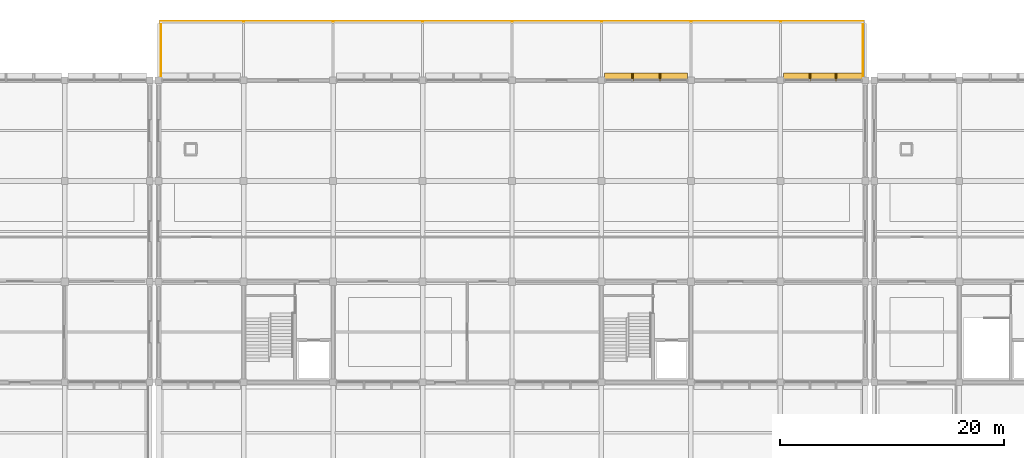
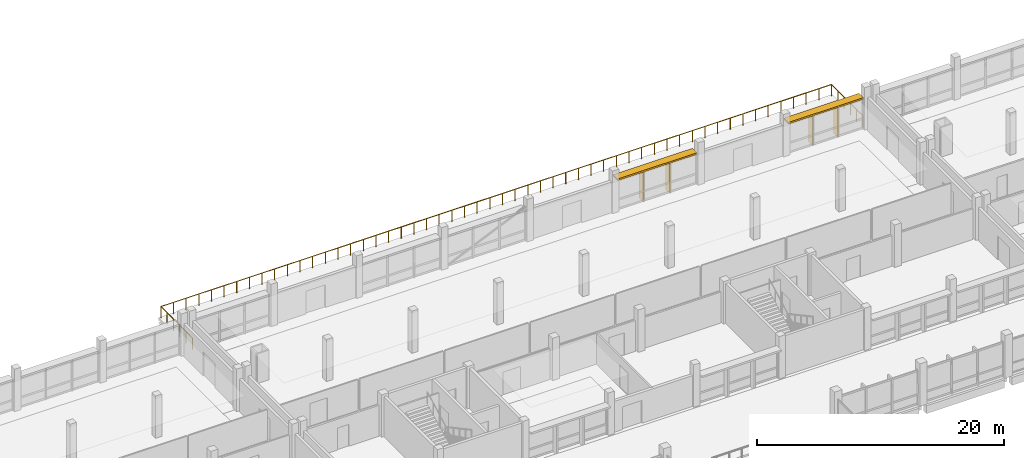
# One storey, part 69 of 70: 6 shading devices, 1 railing.
"""IFC4 building model written with IfcOpenShell, lengths in metres."""

from ifc_helpers import new_model, si_unit, direction, frame, origin, origin_2d, place, context, subcontext, project, spatial, rectangle, circle, extrude, material, type_object, element, save


model = new_model("IFC4")

# Units and contexts
model_context = context("Model", 3, precision=1e-05, world=origin(), true_north=direction((0.0, 1.0)))
body_context = subcontext(model_context, "Body", "Model", "MODEL_VIEW")
ifc_project = project(units=[si_unit("LENGTHUNIT", "METRE"), si_unit("AREAUNIT", "SQUARE_METRE"), si_unit("VOLUMEUNIT", "CUBIC_METRE"), si_unit("PLANEANGLEUNIT", "RADIAN"), si_unit("MASSUNIT", "GRAM", prefix="KILO"), si_unit("THERMODYNAMICTEMPERATUREUNIT", "KELVIN"), si_unit("POWERUNIT", "WATT")], contexts=[model_context])

# Site, building, storey
site_placement = place(None, origin())
site = spatial("IfcSite", under=ifc_project, at=site_placement, CompositionType="ELEMENT")
building_placement = place(site_placement, origin())
building = spatial("IfcBuilding", under=site, at=building_placement, Name="Kronsvod Quay Wholesale Market", CompositionType="ELEMENT")
storey_placement = place(building_placement, frame((0.0, 0.0, 9.0)))
storey = spatial("IfcBuildingStorey", under=building, at=storey_placement, Name="L02", CompositionType="ELEMENT", Elevation=9.0)

# Railing
ifc_material_1 = material(Name="Stainless steel and laminated glass", Category="steel")
railing_type = type_object("IfcRailingType", Name="Railing_Balustrade1150", PredefinedType="BALUSTRADE", material=ifc_material_1)
railing_placement = place(storey_placement, frame((64.60009765625, 126.14990234375, 0.0)))
element("IfcRailing", 1, at=railing_placement, inside=storey, type_object=railing_type, Name="GRD-L02-BAL", PredefinedType="BALUSTRADE", context=body_context, shape_type="SweptSolid", body=[
    extrude(circle(Radius=0.02392578125, at=origin_2d()), frame((0.0, 0.0, 1.1259765625), z_axis=(0.0, 1.0, 0.0), x_axis=(-1.0, 0.0, 0.0)), (0.0, 0.0, 1.0), 5.10009765625),
    extrude(circle(Radius=0.02392578125, at=origin_2d()), frame((0.0, 5.10009765625, 1.1259765625), z_axis=(1.0, 0.0, 0.0), x_axis=(0.0, 1.0, 0.0)), (0.0, 0.0, 1.0), 62.7998046875),
    extrude(circle(Radius=0.02392578125, at=origin_2d()), frame((62.7998046875, 5.10009765625, 1.1259765625), z_axis=(0.0, -1.0, 0.0), x_axis=(1.0, 0.0, 0.0)), (0.0, 0.0, 1.0), 5.10009765625),
    extrude(circle(Radius=0.02099609375, at=origin_2d()), origin(), (0.0, 0.0, 1.0), 1.101806640625),
    extrude(circle(Radius=0.02099609375, at=origin_2d()), frame((0.0, 1.02001953125, 0.0)), (0.0, 0.0, 1.0), 1.101806640625),
    extrude(circle(Radius=0.02099609375, at=origin_2d()), frame((0.0, 2.0400390625, 0.0)), (0.0, 0.0, 1.0), 1.101806640625),
    extrude(circle(Radius=0.02099609375, at=origin_2d()), frame((0.0, 3.06005859375, 0.0)), (0.0, 0.0, 1.0), 1.101806640625),
    extrude(circle(Radius=0.02099609375, at=origin_2d()), frame((0.0, 4.080078125, 0.0)), (0.0, 0.0, 1.0), 1.101806640625),
    extrude(circle(Radius=0.02099609375, at=origin_2d()), frame((0.0, 5.10009765625, 0.0)), (0.0, 0.0, 1.0), 1.101806640625),
    extrude(circle(Radius=0.02099609375, at=origin_2d()), frame((1.184814453125, 5.10009765625, 0.0)), (0.0, 0.0, 1.0), 1.101806640625),
    extrude(circle(Radius=0.02099609375, at=origin_2d()), frame((2.369873046875, 5.10009765625, 0.0)), (0.0, 0.0, 1.0), 1.101806640625),
    extrude(circle(Radius=0.02099609375, at=origin_2d()), frame((3.5546875, 5.10009765625, 0.0)), (0.0, 0.0, 1.0), 1.101806640625),
    extrude(circle(Radius=0.02099609375, at=origin_2d()), frame((4.739501953125, 5.10009765625, 0.0)), (0.0, 0.0, 1.0), 1.101806640625),
    extrude(circle(Radius=0.02099609375, at=origin_2d()), frame((5.924560546875, 5.10009765625, 0.0)), (0.0, 0.0, 1.0), 1.101806640625),
    extrude(circle(Radius=0.02099609375, at=origin_2d()), frame((7.109375, 5.10009765625, 0.0)), (0.0, 0.0, 1.0), 1.101806640625),
    extrude(circle(Radius=0.02099609375, at=origin_2d()), frame((8.29443359375, 5.10009765625, 0.0)), (0.0, 0.0, 1.0), 1.101806640625),
    extrude(circle(Radius=0.02099609375, at=origin_2d()), frame((9.479248046875, 5.10009765625, 0.0)), (0.0, 0.0, 1.0), 1.101806640625),
    extrude(circle(Radius=0.02099609375, at=origin_2d()), frame((10.6640625, 5.10009765625, 0.0)), (0.0, 0.0, 1.0), 1.101806640625),
    extrude(circle(Radius=0.02099609375, at=origin_2d()), frame((11.84912109375, 5.10009765625, 0.0)), (0.0, 0.0, 1.0), 1.101806640625),
    extrude(circle(Radius=0.02099609375, at=origin_2d()), frame((13.033935546875, 5.10009765625, 0.0)), (0.0, 0.0, 1.0), 1.101806640625),
    extrude(circle(Radius=0.02099609375, at=origin_2d()), frame((14.21875, 5.10009765625, 0.0)), (0.0, 0.0, 1.0), 1.101806640625),
    extrude(circle(Radius=0.02099609375, at=origin_2d()), frame((15.40380859375, 5.10009765625, 0.0)), (0.0, 0.0, 1.0), 1.101806640625),
    extrude(circle(Radius=0.02099609375, at=origin_2d()), frame((16.588623046875, 5.10009765625, 0.0)), (0.0, 0.0, 1.0), 1.101806640625),
    extrude(circle(Radius=0.02099609375, at=origin_2d()), frame((17.7734375, 5.10009765625, 0.0)), (0.0, 0.0, 1.0), 1.101806640625),
    extrude(circle(Radius=0.02099609375, at=origin_2d()), frame((18.95849609375, 5.10009765625, 0.0)), (0.0, 0.0, 1.0), 1.101806640625),
    extrude(circle(Radius=0.02099609375, at=origin_2d()), frame((20.143310546875, 5.10009765625, 0.0)), (0.0, 0.0, 1.0), 1.101806640625),
    extrude(circle(Radius=0.02099609375, at=origin_2d()), frame((21.328125, 5.10009765625, 0.0)), (0.0, 0.0, 1.0), 1.101806640625),
    extrude(circle(Radius=0.02099609375, at=origin_2d()), frame((22.51318359375, 5.10009765625, 0.0)), (0.0, 0.0, 1.0), 1.101806640625),
    extrude(circle(Radius=0.02099609375, at=origin_2d()), frame((23.697998046875, 5.10009765625, 0.0)), (0.0, 0.0, 1.0), 1.101806640625),
    extrude(circle(Radius=0.02099609375, at=origin_2d()), frame((24.883056640625, 5.10009765625, 0.0)), (0.0, 0.0, 1.0), 1.101806640625),
    extrude(circle(Radius=0.02099609375, at=origin_2d()), frame((26.06787109375, 5.10009765625, 0.0)), (0.0, 0.0, 1.0), 1.101806640625),
    extrude(circle(Radius=0.02099609375, at=origin_2d()), frame((27.252685546875, 5.10009765625, 0.0)), (0.0, 0.0, 1.0), 1.101806640625),
    extrude(circle(Radius=0.02099609375, at=origin_2d()), frame((28.437744140625, 5.10009765625, 0.0)), (0.0, 0.0, 1.0), 1.101806640625),
    extrude(circle(Radius=0.02099609375, at=origin_2d()), frame((29.62255859375, 5.10009765625, 0.0)), (0.0, 0.0, 1.0), 1.101806640625),
    extrude(circle(Radius=0.02099609375, at=origin_2d()), frame((30.807373046875, 5.10009765625, 0.0)), (0.0, 0.0, 1.0), 1.101806640625),
    extrude(circle(Radius=0.02099609375, at=origin_2d()), frame((31.992431640625, 5.10009765625, 0.0)), (0.0, 0.0, 1.0), 1.101806640625),
    extrude(circle(Radius=0.02099609375, at=origin_2d()), frame((33.17724609375, 5.10009765625, 0.0)), (0.0, 0.0, 1.0), 1.101806640625),
    extrude(circle(Radius=0.02099609375, at=origin_2d()), frame((34.362060546875, 5.10009765625, 0.0)), (0.0, 0.0, 1.0), 1.101806640625),
    extrude(circle(Radius=0.02099609375, at=origin_2d()), frame((35.547119140625, 5.10009765625, 0.0)), (0.0, 0.0, 1.0), 1.101806640625),
    extrude(circle(Radius=0.02099609375, at=origin_2d()), frame((36.73193359375, 5.10009765625, 0.0)), (0.0, 0.0, 1.0), 1.101806640625),
    extrude(circle(Radius=0.02099609375, at=origin_2d()), frame((37.916748046875, 5.10009765625, 0.0)), (0.0, 0.0, 1.0), 1.101806640625),
    extrude(circle(Radius=0.02099609375, at=origin_2d()), frame((39.101806640625, 5.10009765625, 0.0)), (0.0, 0.0, 1.0), 1.101806640625),
    extrude(circle(Radius=0.02099609375, at=origin_2d()), frame((40.28662109375, 5.10009765625, 0.0)), (0.0, 0.0, 1.0), 1.101806640625),
    extrude(circle(Radius=0.02099609375, at=origin_2d()), frame((41.4716796875, 5.10009765625, 0.0)), (0.0, 0.0, 1.0), 1.101806640625),
    extrude(circle(Radius=0.02099609375, at=origin_2d()), frame((42.656494140625, 5.10009765625, 0.0)), (0.0, 0.0, 1.0), 1.101806640625),
    extrude(circle(Radius=0.02099609375, at=origin_2d()), frame((43.84130859375, 5.10009765625, 0.0)), (0.0, 0.0, 1.0), 1.101806640625),
    extrude(circle(Radius=0.02099609375, at=origin_2d()), frame((45.0263671875, 5.10009765625, 0.0)), (0.0, 0.0, 1.0), 1.101806640625),
    extrude(circle(Radius=0.02099609375, at=origin_2d()), frame((46.211181640625, 5.10009765625, 0.0)), (0.0, 0.0, 1.0), 1.101806640625),
    extrude(circle(Radius=0.02099609375, at=origin_2d()), frame((47.39599609375, 5.10009765625, 0.0)), (0.0, 0.0, 1.0), 1.101806640625),
    extrude(circle(Radius=0.02099609375, at=origin_2d()), frame((48.5810546875, 5.10009765625, 0.0)), (0.0, 0.0, 1.0), 1.101806640625),
    extrude(circle(Radius=0.02099609375, at=origin_2d()), frame((49.765869140625, 5.10009765625, 0.0)), (0.0, 0.0, 1.0), 1.101806640625),
    extrude(circle(Radius=0.02099609375, at=origin_2d()), frame((50.95068359375, 5.10009765625, 0.0)), (0.0, 0.0, 1.0), 1.101806640625),
    extrude(circle(Radius=0.02099609375, at=origin_2d()), frame((52.1357421875, 5.10009765625, 0.0)), (0.0, 0.0, 1.0), 1.101806640625),
    extrude(circle(Radius=0.02099609375, at=origin_2d()), frame((53.320556640625, 5.10009765625, 0.0)), (0.0, 0.0, 1.0), 1.101806640625),
    extrude(circle(Radius=0.02099609375, at=origin_2d()), frame((54.50537109375, 5.10009765625, 0.0)), (0.0, 0.0, 1.0), 1.101806640625),
    extrude(circle(Radius=0.02099609375, at=origin_2d()), frame((55.6904296875, 5.10009765625, 0.0)), (0.0, 0.0, 1.0), 1.101806640625),
    extrude(circle(Radius=0.02099609375, at=origin_2d()), frame((56.875244140625, 5.10009765625, 0.0)), (0.0, 0.0, 1.0), 1.101806640625),
    extrude(circle(Radius=0.02099609375, at=origin_2d()), frame((58.060302734375, 5.10009765625, 0.0)), (0.0, 0.0, 1.0), 1.101806640625),
    extrude(circle(Radius=0.02099609375, at=origin_2d()), frame((59.2451171875, 5.10009765625, 0.0)), (0.0, 0.0, 1.0), 1.101806640625),
    extrude(circle(Radius=0.02099609375, at=origin_2d()), frame((60.429931640625, 5.10009765625, 0.0)), (0.0, 0.0, 1.0), 1.101806640625),
    extrude(circle(Radius=0.02099609375, at=origin_2d()), frame((61.614990234375, 5.10009765625, 0.0)), (0.0, 0.0, 1.0), 1.101806640625),
    extrude(circle(Radius=0.02099609375, at=origin_2d()), frame((62.7998046875, 5.10009765625, 0.0)), (0.0, 0.0, 1.0), 1.101806640625),
    extrude(circle(Radius=0.02099609375, at=origin_2d()), frame((62.7998046875, 4.080078125, 0.0)), (0.0, 0.0, 1.0), 1.101806640625),
    extrude(circle(Radius=0.02099609375, at=origin_2d()), frame((62.7998046875, 3.06005859375, 0.0)), (0.0, 0.0, 1.0), 1.101806640625),
    extrude(circle(Radius=0.02099609375, at=origin_2d()), frame((62.7998046875, 2.0400390625, 0.0)), (0.0, 0.0, 1.0), 1.101806640625),
    extrude(circle(Radius=0.02099609375, at=origin_2d()), frame((62.7998046875, 1.02001953125, 0.0)), (0.0, 0.0, 1.0), 1.101806640625),
    extrude(circle(Radius=0.02099609375, at=origin_2d()), frame((62.7998046875, 0.0, 0.0)), (0.0, 0.0, 1.0), 1.101806640625),
])

# Shading devices
ifc_material_2 = material(Name="Anodised aluminium", Category="aluminium")
shading_device_type_1 = type_object("IfcShadingDeviceType", Name="Shade_SolarFin", PredefinedType="AWNING", material=ifc_material_2)
for number, where, z_axis, x_axis, name in (
    (2, (106.764892578125, 126.280029296875, -0.02001953125), (0.0, 0.0, 1.0), (1.0, 0.0, 0.0), "SHDF-CWGX-L02-1040-1260-1068"),
    (3, (109.235107421875, 126.280029296875, -0.02001953125), (0.0, 0.0, 1.0), (1.0, 0.0, 0.0), "SHDF-CWGX-L02-1040-1260-1092"),
    (4, (122.631591796875, 126.280029296875, -0.02001953125), (0.0, 0.0, 1.0), (1.0, 0.0, 0.0), "SHDF-CWGX-L02-1200-1260-1226"),
    (5, (124.96826171875, 126.280029296875, -0.02001953125), (0.0, 0.0, 1.0), (1.0, 0.0, 0.0), "SHDF-CWGX-L02-1200-1260-1250"),
):
    element("IfcShadingDevice", number, at=place(storey_placement, frame(where, z_axis=z_axis, x_axis=x_axis)), inside=storey, type_object=shading_device_type_1, Name=name, PredefinedType="AWNING", context=body_context, shape_type="SweptSolid", body=[
        extrude(rectangle(XDim=0.139892578125, YDim=0.6201171875, at=origin_2d()), origin(), (0.0, 0.0, 1.0), 3.090087890625),
    ])
ifc_material_3 = material(Name="Anodised aluminium sunshade hood", Category="aluminium")
shading_device_type_2 = type_object("IfcShadingDeviceType", Name="Shade_SunHood", PredefinedType="AWNING", material=ifc_material_3)
shading_device_1_placement = place(storey_placement, frame((108.0, 126.280029296875, 2.93017578125), z_axis=(0.0, 0.0, 1.0), x_axis=(1.0, 0.0, 0.0)))
element("IfcShadingDevice", 6, at=shading_device_1_placement, inside=storey, type_object=shading_device_type_2, Name="SHDH-CWGX-L02-1040-1260", PredefinedType="AWNING", context=body_context, shape_type="SweptSolid", body=[
    extrude(rectangle(XDim=7.429931640625, YDim=0.719970703125, at=origin_2d()), origin(), (0.0, 0.0, 1.0), 0.159912109375),
])
shading_device_2_placement = place(storey_placement, frame((123.800048828125, 126.280029296875, 2.93017578125), z_axis=(0.0, 0.0, 1.0), x_axis=(1.0, 0.0, 0.0)))
element("IfcShadingDevice", 7, at=shading_device_2_placement, inside=storey, type_object=shading_device_type_2, Name="SHDH-CWGX-L02-1200-1260", PredefinedType="AWNING", context=body_context, shape_type="SweptSolid", body=[
    extrude(rectangle(XDim=7.030029296875, YDim=0.719970703125, at=origin_2d()), origin(), (0.0, 0.0, 1.0), 0.159912109375),
])

save(model, "model.ifc")
